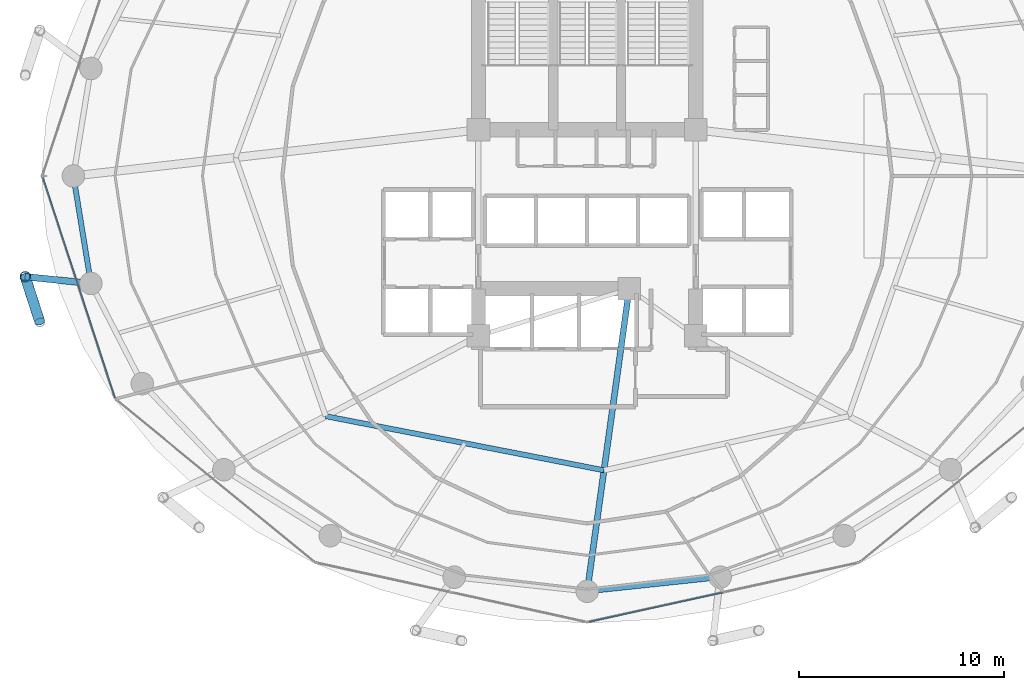
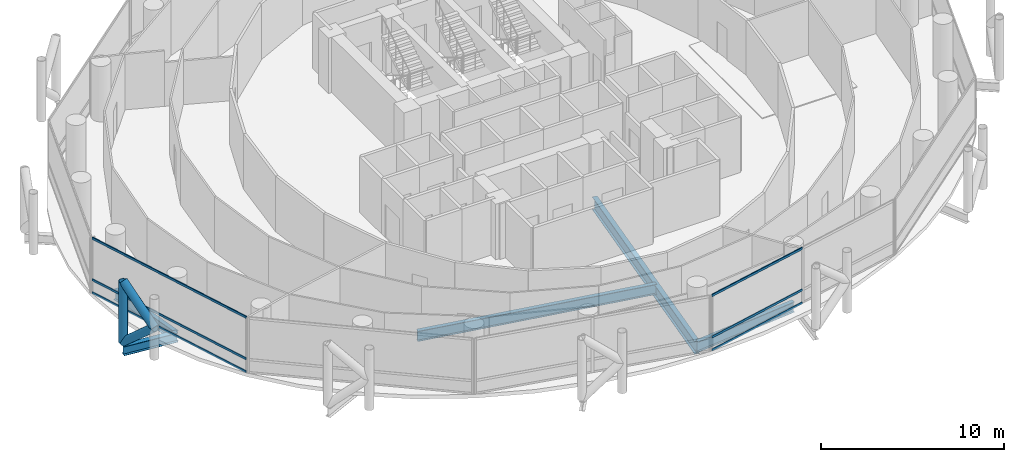
# One storey, part 5 of 27: 9 members, 5 beams, 2 elements without a shape of their own.
"""IFC4 building model written with IfcOpenShell, lengths in metres."""

from ifc_helpers import new_model, si_unit, direction, frame, origin, origin_2d, place, context, subcontext, project, spatial, hollow_rectangle, hollow_circle, i_section, extrude, material, layer, layer_set, material_profile, profile_set, type_object, element, aggregate, save


model = new_model("IFC4")

# Units and contexts
model_context = context("Model", 3, precision=1e-05, world=origin(), true_north=direction((0.0, 1.0)))
body_context = subcontext(model_context, "Body", "Model", "MODEL_VIEW")
ifc_project = project(units=[si_unit("LENGTHUNIT", "METRE"), si_unit("AREAUNIT", "SQUARE_METRE"), si_unit("VOLUMEUNIT", "CUBIC_METRE"), si_unit("PLANEANGLEUNIT", "RADIAN"), si_unit("MASSUNIT", "GRAM", prefix="KILO")], contexts=[model_context])

# Site, building, storey
site_placement = place(None, origin())
site = spatial("IfcSite", under=ifc_project, at=site_placement, CompositionType="ELEMENT")
building_placement = place(site_placement, origin())
building = spatial("IfcBuilding", under=site, at=building_placement, Name="Nuhasar Tower", CompositionType="ELEMENT")
storey_placement = place(building_placement, frame((0.0, 0.0, 102.0)))
storey = spatial("IfcBuildingStorey", under=building, at=storey_placement, Name="L24", CompositionType="ELEMENT", Elevation=102.0)

# Beams
ifc_material_1 = material(Name="Steel S355", Category="steel")
ifc_material_profile_1 = material_profile(ifc_material_1, i_section(OverallWidth=0.25390625, OverallDepth=0.68408203125, WebThickness=0.012451171875, FlangeThickness=0.018798828125, at=origin_2d()), Name="W27X94")
ifc_profile_set_1 = profile_set([ifc_material_profile_1], Name="Steel S355")
beam_type_1 = type_object("IfcBeamType", Name="BM-INRING-W27X94", PredefinedType="BEAM", material=ifc_profile_set_1)
beam_1_placement = place(storey_placement, frame((26.251953125, 15.089111328125, -0.592041015625), z_axis=(0.981602977761, -0.190933480695, 0.0), x_axis=(0.190933480695, 0.981602977761, 0.0)))
element("IfcBeam", 1, at=beam_1_placement, inside=storey, type_object=beam_type_1, Name="L24 Inner Header Beam 01", PredefinedType="BEAM", context=body_context, shape_type="SweptSolid", body=[
    extrude(i_section(OverallWidth=0.25390625, OverallDepth=0.68408203125, WebThickness=0.012451171875, FlangeThickness=0.018798828125, at=origin_2d()), origin(), (0.0, 0.0, 1.0), 13.822509765625),
])
ifc_material_profile_2 = material_profile(ifc_material_1, i_section(OverallWidth=0.2919921875, OverallDepth=0.85888671875, WebThickness=0.01708984375, FlangeThickness=0.031005859375, at=origin_2d()), Name="W33X169")
ifc_profile_set_2 = profile_set([ifc_material_profile_2], Name="Steel S355")
beam_type_2 = type_object("IfcBeamType", Name="BM-POD-W33X169", PredefinedType="BEAM", material=ifc_profile_set_2)
beam_2_placement = place(storey_placement, frame((41.050048828125, 21.300048828125, -0.679931640625), z_axis=(-0.137663087856, -0.990479113481, 0.0), x_axis=(0.990479113481, -0.137663087856, 0.0)))
element("IfcBeam", 2, at=beam_2_placement, inside=storey, type_object=beam_type_2, Name="L24 Radial Floor Girder 02", PredefinedType="BEAM", context=body_context, shape_type="SweptSolid", body=[
    extrude(i_section(OverallWidth=0.2919921875, OverallDepth=0.85888671875, WebThickness=0.01708984375, FlangeThickness=0.031005859375, at=origin_2d()), origin(), (0.0, 0.0, 1.0), 14.891845703125),
])
ifc_material_profile_3 = material_profile(ifc_material_1, i_section(OverallWidth=0.256103515625, OverallDepth=0.693115234375, WebThickness=0.014404296875, FlangeThickness=0.023681640625, at=origin_2d()), Name="W27X114")
ifc_profile_set_3 = profile_set([ifc_material_profile_3], Name="Steel S355")
beam_type_3 = type_object("IfcBeamType", Name="BM-RING-W27X114", PredefinedType="SPANDREL", material=ifc_profile_set_3)
beam_3_placement = place(storey_placement, frame((13.949951171875, 26.800048828125, -0.596923828125), z_axis=(0.160826635486, -0.986982671235, 0.0), x_axis=(0.986982671235, 0.160826635486, 0.0)))
element("IfcBeam", 3, at=beam_3_placement, inside=storey, type_object=beam_type_3, Name="L24 Perimeter Ring Spandrel 13", PredefinedType="SPANDREL", context=body_context, shape_type="SweptSolid", body=[
    extrude(i_section(OverallWidth=0.256103515625, OverallDepth=0.693115234375, WebThickness=0.014404296875, FlangeThickness=0.023681640625, at=origin_2d()), origin(), (0.0, 0.0, 1.0), 5.31005859375),
])
beam_4_placement = place(storey_placement, frame((39.0, 6.550048828125, -0.596923828125), z_axis=(0.994384554061, 0.105827022286, 0.0), x_axis=(-0.105827022286, 0.994384554061, 0.0)))
element("IfcBeam", 4, at=beam_4_placement, inside=storey, type_object=beam_type_3, Name="L24 Perimeter Ring Spandrel 19", PredefinedType="SPANDREL", context=body_context, shape_type="SweptSolid", body=[
    extrude(i_section(OverallWidth=0.256103515625, OverallDepth=0.693115234375, WebThickness=0.014404296875, FlangeThickness=0.023681640625, at=origin_2d()), origin(), (0.0, 0.0, 1.0), 6.51953125),
])
ifc_material_profile_4 = material_profile(ifc_material_1, i_section(OverallWidth=0.323974609375, OverallDepth=0.611083984375, WebThickness=0.0126953125, FlangeThickness=0.01904296875, at=origin_2d()), Name="W24X104")
ifc_profile_set_4 = profile_set([ifc_material_profile_4], Name="Steel S355")
beam_type_4 = type_object("IfcBeamType", Name="BM-TIE-W24X104", PredefinedType="BEAM", material=ifc_profile_set_4)
beam_5_placement = place(storey_placement, frame((14.803955078125, 21.55908203125, -0.554931640625), z_axis=(-0.994711572359, 0.102707778751, 0.0), x_axis=(-0.102707778751, -0.994711572359, 0.0)))
element("IfcBeam", 5, at=beam_5_placement, inside=storey, type_object=beam_type_4, Name="L24 Exoskeleton Node Tie Beam 07", PredefinedType="BEAM", context=body_context, shape_type="SweptSolid", body=[
    extrude(i_section(OverallWidth=0.323974609375, OverallDepth=0.611083984375, WebThickness=0.0126953125, FlangeThickness=0.01904296875, at=origin_2d()), origin(), (0.0, 0.0, 1.0), 3.220947265625),
])

# Curtain wall, members
ifc_material_2 = material(Name="Aluminium 6063-T6", Category="aluminium")
ifc_layer = layer(ifc_material_2, 0.199951171875)
ifc_layer_set = layer_set([ifc_layer], Name="Aluminium 6063-T6")
curtain_wall_type = type_object("IfcCurtainWallType", Name="CW-Z1-OFF", PredefinedType="NOTDEFINED", material=ifc_layer_set)
curtain_wall_1_placement = place(storey_placement, origin())
curtain_wall_1 = element("IfcCurtainWall", 6, at=curtain_wall_1_placement, inside=storey, type_object=curtain_wall_type, Name="L24 Unitised Curtain Wall 07", PredefinedType="NOTDEFINED")
ifc_material_profile_5 = material_profile(ifc_material_2, hollow_rectangle(XDim=0.06494140625, YDim=0.14990234375, WallThickness=0.00439453125, at=origin_2d()), Name="CWT-2")
ifc_profile_set_5 = profile_set([ifc_material_profile_5], Name="Aluminium 6063-T6")
member_type_1 = type_object("IfcMemberType", Name="CW-TRN-S2", PredefinedType="USERDEFINED", material=ifc_profile_set_5)
member_1_placement = place(storey_placement, frame((12.460205078125, 26.73828125, 0.032470703125), z_axis=(0.310818687697, -0.950469222741, 0.0), x_axis=(0.950469222741, 0.310818687697, 0.0)))
member_1 = element("IfcMember", 7, at=member_1_placement, type_object=member_type_1, Name="CW-Z1 transom 1.1", ObjectType="TRANSOM", PredefinedType="USERDEFINED", context=body_context, shape_type="SweptSolid", body=[
    extrude(hollow_rectangle(XDim=0.06494140625, YDim=0.14990234375, WallThickness=0.00439453125, at=origin_2d()), origin(), (0.0, 0.0, 1.0), 11.317138671875),
])
member_2_placement = place(storey_placement, frame((12.460205078125, 26.73828125, 0.89990234375), z_axis=(0.310818687697, -0.950469222741, 0.0), x_axis=(0.950469222741, 0.310818687697, 0.0)))
member_2 = element("IfcMember", 8, at=member_2_placement, type_object=member_type_1, Name="CW-Z1 transom 1.2", ObjectType="TRANSOM", PredefinedType="USERDEFINED", context=body_context, shape_type="SweptSolid", body=[
    extrude(hollow_rectangle(XDim=0.06494140625, YDim=0.14990234375, WallThickness=0.00439453125, at=origin_2d()), origin(), (0.0, 0.0, 1.0), 11.317138671875),
])
member_3_placement = place(storey_placement, frame((12.460205078125, 26.73828125, 3.66748046875), z_axis=(0.310818687697, -0.950469222741, 0.0), x_axis=(0.950469222741, 0.310818687697, 0.0)))
member_3 = element("IfcMember", 9, at=member_3_placement, type_object=member_type_1, Name="CW-Z1 transom 1.3", ObjectType="TRANSOM", PredefinedType="USERDEFINED", context=body_context, shape_type="SweptSolid", body=[
    extrude(hollow_rectangle(XDim=0.06494140625, YDim=0.14990234375, WallThickness=0.00439453125, at=origin_2d()), origin(), (0.0, 0.0, 1.0), 11.317138671875),
])
aggregate(curtain_wall_1, [member_1, member_2, member_3])

curtain_wall_2_placement = place(storey_placement, origin())
curtain_wall_2 = element("IfcCurtainWall", 10, at=curtain_wall_2_placement, inside=storey, type_object=curtain_wall_type, Name="L24 Unitised Curtain Wall 10", PredefinedType="NOTDEFINED")
member_4_placement = place(storey_placement, frame((39.0634765625, 5.053955078125, 0.032470703125), z_axis=(0.976747879138, 0.214391185916, 0.0), x_axis=(-0.214391185916, 0.976747879138, 0.0)))
member_4 = element("IfcMember", 11, at=member_4_placement, type_object=member_type_1, Name="CW-Z1 transom 1.1", ObjectType="TRANSOM", PredefinedType="USERDEFINED", context=body_context, shape_type="SweptSolid", body=[
    extrude(hollow_rectangle(XDim=0.06494140625, YDim=0.14990234375, WallThickness=0.00439453125, at=origin_2d()), origin(), (0.0, 0.0, 1.0), 6.700439453125),
])
member_5_placement = place(storey_placement, frame((39.0634765625, 5.053955078125, 0.89990234375), z_axis=(0.976747879138, 0.214391185916, 0.0), x_axis=(-0.214391185916, 0.976747879138, 0.0)))
member_5 = element("IfcMember", 12, at=member_5_placement, type_object=member_type_1, Name="CW-Z1 transom 1.2", ObjectType="TRANSOM", PredefinedType="USERDEFINED", context=body_context, shape_type="SweptSolid", body=[
    extrude(hollow_rectangle(XDim=0.06494140625, YDim=0.14990234375, WallThickness=0.00439453125, at=origin_2d()), origin(), (0.0, 0.0, 1.0), 6.700439453125),
])
member_6_placement = place(storey_placement, frame((39.0634765625, 5.053955078125, 3.66748046875), z_axis=(0.976747879138, 0.214391185916, 0.0), x_axis=(-0.214391185916, 0.976747879138, 0.0)))
member_6 = element("IfcMember", 13, at=member_6_placement, type_object=member_type_1, Name="CW-Z1 transom 1.3", ObjectType="TRANSOM", PredefinedType="USERDEFINED", context=body_context, shape_type="SweptSolid", body=[
    extrude(hollow_rectangle(XDim=0.06494140625, YDim=0.14990234375, WallThickness=0.00439453125, at=origin_2d()), origin(), (0.0, 0.0, 1.0), 6.700439453125),
])
aggregate(curtain_wall_2, [member_4, member_5, member_6])

# Members
ifc_material_3 = material(Name="Steel S460", Category="steel")
ifc_material_profile_6 = material_profile(ifc_material_3, hollow_circle(Radius=0.25390625, WallThickness=0.025390625, at=origin_2d()), Name="HSS508X25.4")
ifc_profile_set_6 = profile_set([ifc_material_profile_6], Name="Steel S460")
member_type_2 = type_object("IfcMemberType", Name="EXO-BRONZE-508", PredefinedType="BRACE", material=ifc_profile_set_6)
member_7_placement = place(storey_placement, frame((11.60009765625, 21.889892578125, 0.0), z_axis=(0.0, 0.0, 1.0), x_axis=(1.0, 0.0, 0.0)))
element("IfcMember", 14, at=member_7_placement, inside=storey, type_object=member_type_2, Name="L24 Exoskeleton Chord Column EC-07A", PredefinedType="BRACE", context=body_context, shape_type="SweptSolid", body=[
    extrude(hollow_circle(Radius=0.25390625, WallThickness=0.025390625, at=origin_2d()), origin(), (0.0, 0.0, 1.0), 4.050048828125),
])
member_8_placement = place(storey_placement, frame((11.60009765625, 21.889892578125, 0.0), z_axis=(0.231011836313, -0.714224870475, 0.660693851854), x_axis=(0.951468282519, 0.307746823478, 0.0)))
element("IfcMember", 15, at=member_8_placement, inside=storey, type_object=member_type_2, Name="L24 Bronze Diagrid Brace W1-07", PredefinedType="BRACE", context=body_context, shape_type="SweptSolid", body=[
    extrude(hollow_circle(Radius=0.25390625, WallThickness=0.025390625, at=origin_2d()), origin(), (0.0, 0.0, 1.0), 3.064697265625),
])
member_9_placement = place(storey_placement, frame((12.30810546875, 19.700927734375, 2.02490234375), z_axis=(-0.230999678299, 0.714187281251, 0.660738734997), x_axis=(-0.951468282519, -0.307746823478, 0.0)))
element("IfcMember", 16, at=member_9_placement, inside=storey, type_object=member_type_2, Name="L24 Bronze Diagrid Brace W2-07", PredefinedType="BRACE", context=body_context, shape_type="SweptSolid", body=[
    extrude(hollow_circle(Radius=0.25390625, WallThickness=0.025390625, at=origin_2d()), origin(), (0.0, 0.0, 1.0), 3.06494140625),
])

save(model, "model.ifc")
